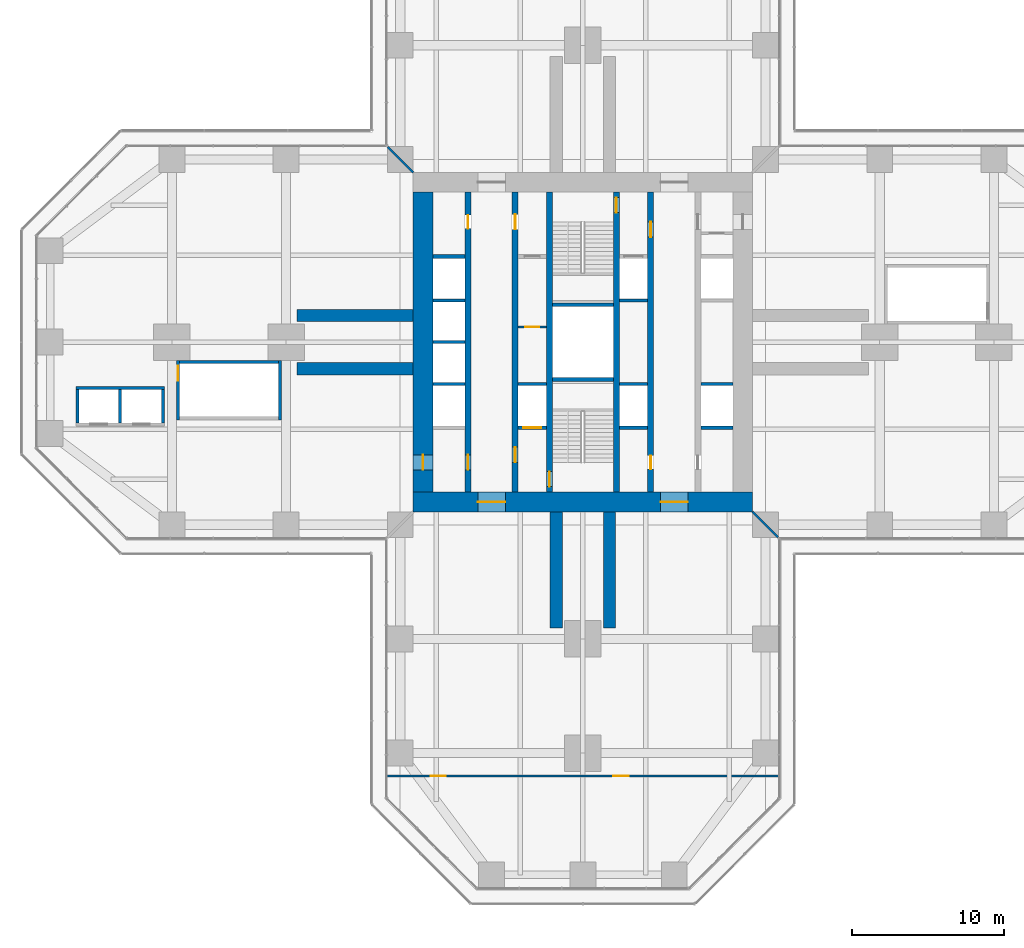
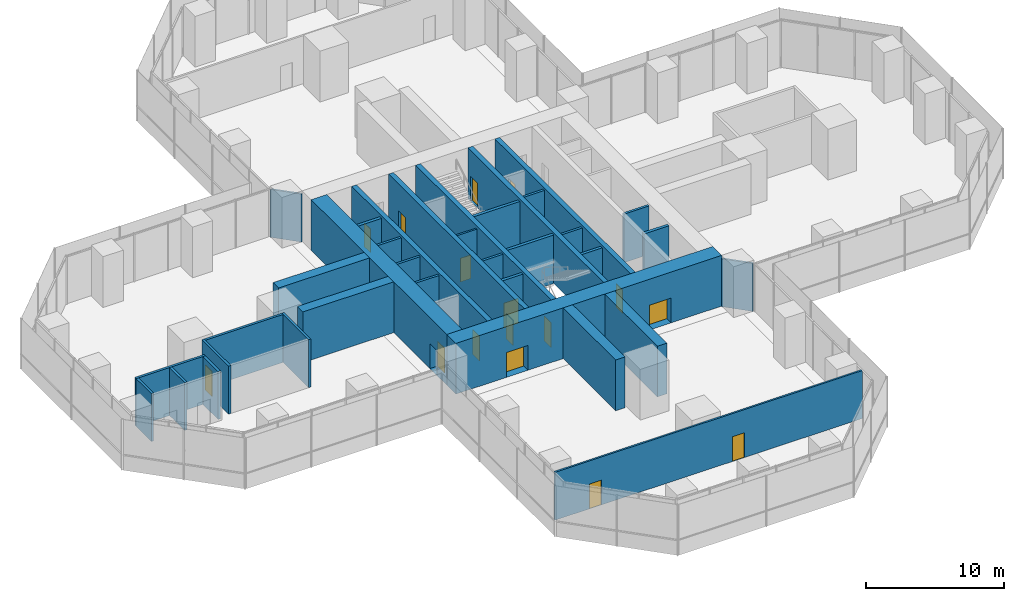
# One storey, part 17 of 21: 35 walls, 16 doors, 16 openings.
"""IFC4 building model written with IfcOpenShell, lengths in metres."""

from ifc_helpers import new_model, si_unit, direction, frame, frame_2d, origin, place, context, subcontext, project, spatial, rectangle, extrude, material, layer, layer_set, type_object, element, fill, save


model = new_model("IFC4")

# Units and contexts
model_context = context("Model", 3, precision=1e-05, world=origin(), true_north=direction((0.0, 1.0)))
body_context = subcontext(model_context, "Body", "Model", "MODEL_VIEW")
ifc_project = project(units=[si_unit("LENGTHUNIT", "METRE"), si_unit("AREAUNIT", "SQUARE_METRE"), si_unit("VOLUMEUNIT", "CUBIC_METRE"), si_unit("PLANEANGLEUNIT", "RADIAN"), si_unit("MASSUNIT", "GRAM", prefix="KILO")], contexts=[model_context])

# Site, building, storey
site_placement = place(None, origin())
site = spatial("IfcSite", under=ifc_project, at=site_placement, CompositionType="ELEMENT")
building_placement = place(site_placement, origin())
building = spatial("IfcBuilding", under=site, at=building_placement, Name="Mizan Broadcast Tower", CompositionType="ELEMENT")
storey_placement = place(building_placement, frame((0.0, 0.0, 33.0)))
storey = spatial("IfcBuildingStorey", under=building, at=storey_placement, Name="L05", CompositionType="ELEMENT", Elevation=33.0)

# Wall, openings, doors
ifc_material_1 = material(Name="Concrete C70/85", Category="concrete")
ifc_layer_1 = layer(ifc_material_1, 0.39990234375)
ifc_layer_set_1 = layer_set([ifc_layer_1], Name="Concrete C70/85")
wall_type_1 = type_object("IfcWallType", Name="CORE INTERNAL WALL 400", PredefinedType="SHEAR", material=ifc_layer_set_1)
wall_1_placement = place(storey_placement, frame((-7.550048828125, -9.85009765625, 0.0), z_axis=(0.0, 0.0, 1.0), x_axis=(0.0, 1.0, 0.0)))
wall_1 = element("IfcWall", 1, at=wall_1_placement, inside=storey, type_object=wall_type_1, Name="Core wall CORE/XW1", PredefinedType="SHEAR", context=body_context, shape_type="SweptSolid", body=[
    extrude(rectangle(XDim=19.7001953125, YDim=0.39990234375, at=frame_2d((9.85009765625, 0.0))), origin(), (0.0, 0.0, 1.0), 4.5),
])
opening_1_placement = place(wall_1_placement, frame((1.449951171875, 0.0, 0.0)))
opening_1 = element("IfcOpeningElement", 2, at=opening_1_placement, cuts=wall_1, Name="Opening D10F", PredefinedType="OPENING", context=body_context, shape_type="SweptSolid", body=[
    extrude(rectangle(XDim=1.0, YDim=2.199951171875, at=frame_2d((0.5, 1.10009765625))), frame((0.0, 0.2099609375, 0.0), z_axis=(0.0, -1.0, 0.0), x_axis=(1.0, 0.0, 0.0)), (0.0, 0.0, 1.0), 0.419921875),
])
opening_2_placement = place(wall_1_placement, frame((17.300048828125, 0.0, 0.0)))
opening_2 = element("IfcOpeningElement", 3, at=opening_2_placement, cuts=wall_1, Name="Opening D09", PredefinedType="OPENING", context=body_context, shape_type="SweptSolid", body=[
    extrude(rectangle(XDim=0.89990234375, YDim=2.10009765625, at=frame_2d((0.449951171875, 1.050048828125))), frame((0.0, 0.2099609375, 0.0), z_axis=(0.0, -1.0, 0.0), x_axis=(1.0, 0.0, 0.0)), (0.0, 0.0, 1.0), 0.419921875),
])
ifc_material_2 = material(Name="Steel door leaf in steel frame", Category="steel")
door_type_1 = type_object("IfcDoorType", Name="FIRE DOOR 1000 FD90", OperationType="SINGLE_SWING_LEFT", PredefinedType="DOOR", material=ifc_material_2)
door_1_placement = place(opening_1_placement, origin())
door_1 = element("IfcDoor", 4, at=door_1_placement, inside=storey, type_object=door_type_1, Name="West core passage door", OperationType="SINGLE_SWING_LEFT", OverallHeight=2.199951171875, OverallWidth=1.0, PredefinedType="DOOR", context=body_context, shape_type="SweptSolid", body=[
    extrude(rectangle(XDim=1.0, YDim=2.199951171875, at=frame_2d((0.5, 1.10009765625))), frame((0.0, 0.02490234375, 0.0), z_axis=(0.0, -1.0, 0.0), x_axis=(1.0, 0.0, 0.0)), (0.0, 0.0, 1.0), 0.050048828125),
])
fill(opening_1, door_1)
ifc_material_3 = material(Name="Timber door leaf in aluminium frame", Category="wood")
door_type_2 = type_object("IfcDoorType", Name="TOILET DOOR 900", OperationType="SINGLE_SWING_LEFT", PredefinedType="DOOR", material=ifc_material_3)
door_2_placement = place(opening_2_placement, origin())
door_2 = element("IfcDoor", 5, at=door_2_placement, inside=storey, type_object=door_type_2, Name="Male WC door", OperationType="SINGLE_SWING_RIGHT", OverallHeight=2.10009765625, OverallWidth=0.89990234375, PredefinedType="DOOR", context=body_context, shape_type="SweptSolid", body=[
    extrude(rectangle(XDim=0.89990234375, YDim=2.10009765625, at=frame_2d((0.449951171875, 1.050048828125))), frame((0.0, 0.02490234375, 0.0), z_axis=(0.0, -1.0, 0.0), x_axis=(1.0, 0.0, 0.0)), (0.0, 0.0, 1.0), 0.050048828125),
])
fill(opening_2, door_2)

wall_2_placement = place(storey_placement, frame((-4.449951171875, -9.85009765625, 0.0), z_axis=(0.0, 0.0, 1.0), x_axis=(0.0, 1.0, 0.0)))
wall_2 = element("IfcWall", 6, at=wall_2_placement, inside=storey, type_object=wall_type_1, Name="Core wall CORE/XWH", PredefinedType="SHEAR", context=body_context, shape_type="SweptSolid", body=[
    extrude(rectangle(XDim=19.7001953125, YDim=0.39990234375, at=frame_2d((9.85009765625, 0.0))), origin(), (0.0, 0.0, 1.0), 4.5),
])
opening_3_placement = place(wall_2_placement, frame((1.949951171875, 0.0, 0.0)))
opening_3 = element("IfcOpeningElement", 7, at=opening_3_placement, cuts=wall_2, Name="Opening D10F", PredefinedType="OPENING", context=body_context, shape_type="SweptSolid", body=[
    extrude(rectangle(XDim=1.0, YDim=2.199951171875, at=frame_2d((0.5, 1.10009765625))), frame((0.0, 0.2099609375, 0.0), z_axis=(0.0, -1.0, 0.0), x_axis=(1.0, 0.0, 0.0)), (0.0, 0.0, 1.0), 0.419921875),
])
opening_4_placement = place(wall_2_placement, frame((17.25, 0.0, 0.0)))
opening_4 = element("IfcOpeningElement", 8, at=opening_4_placement, cuts=wall_2, Name="Opening D10A", PredefinedType="OPENING", context=body_context, shape_type="SweptSolid", body=[
    extrude(rectangle(XDim=1.0, YDim=2.10009765625, at=frame_2d((0.5, 1.050048828125))), frame((0.0, 0.2099609375, 0.0), z_axis=(0.0, -1.0, 0.0), x_axis=(1.0, 0.0, 0.0)), (0.0, 0.0, 1.0), 0.419921875),
])
ifc_material_4 = material(Name="Timber door leaf in aluminium frame", Category="wood")
door_type_3 = type_object("IfcDoorType", Name="ACCESSIBLE WC DOOR 1000", OperationType="SLIDING_TO_LEFT", PredefinedType="DOOR", material=ifc_material_4)
door_3_placement = place(opening_4_placement, origin())
door_3 = element("IfcDoor", 9, at=door_3_placement, inside=storey, type_object=door_type_3, Name="Accessible WC door", OperationType="SLIDING_TO_LEFT", OverallHeight=2.10009765625, OverallWidth=1.0, PredefinedType="DOOR", context=body_context, shape_type="SweptSolid", body=[
    extrude(rectangle(XDim=1.0, YDim=2.10009765625, at=frame_2d((0.5, 1.050048828125))), frame((0.0, 0.02490234375, 0.0), z_axis=(0.0, -1.0, 0.0), x_axis=(1.0, 0.0, 0.0)), (0.0, 0.0, 1.0), 0.050048828125),
])
fill(opening_4, door_3)
door_4_placement = place(opening_3_placement, origin())
door_4 = element("IfcDoor", 10, at=door_4_placement, inside=storey, type_object=door_type_1, Name="Firefighting lobby A door", OperationType="SINGLE_SWING_LEFT", OverallHeight=2.199951171875, OverallWidth=1.0, PredefinedType="DOOR", context=body_context, shape_type="SweptSolid", body=[
    extrude(rectangle(XDim=1.0, YDim=2.199951171875, at=frame_2d((0.5, 1.10009765625))), frame((0.0, 0.02490234375, 0.0), z_axis=(0.0, -1.0, 0.0), x_axis=(1.0, 0.0, 0.0)), (0.0, 0.0, 1.0), 0.050048828125),
])
fill(opening_3, door_4)

wall_3_placement = place(storey_placement, frame((4.449951171875, 9.85009765625, 0.0), z_axis=(0.0, 0.0, 1.0), x_axis=(0.0, -1.0, 0.0)))
wall_3 = element("IfcWall", 11, at=wall_3_placement, inside=storey, type_object=wall_type_1, Name="Core wall CORE/XWHE", PredefinedType="SHEAR", context=body_context, shape_type="SweptSolid", body=[
    extrude(rectangle(XDim=19.7001953125, YDim=0.39990234375, at=frame_2d((9.85009765625, 0.0))), origin(), (0.0, 0.0, 1.0), 4.5),
])
opening_5_placement = place(wall_3_placement, frame((1.949951171875, 0.0, 0.0)))
opening_5 = element("IfcOpeningElement", 12, at=opening_5_placement, cuts=wall_3, Name="Opening D10F", PredefinedType="OPENING", context=body_context, shape_type="SweptSolid", body=[
    extrude(rectangle(XDim=1.0, YDim=2.199951171875, at=frame_2d((0.5, 1.10009765625))), frame((0.0, 0.2099609375, 0.0), z_axis=(0.0, -1.0, 0.0), x_axis=(1.0, 0.0, 0.0)), (0.0, 0.0, 1.0), 0.419921875),
])
opening_6_placement = place(wall_3_placement, frame((17.300048828125, 0.0, 0.0)))
opening_6 = element("IfcOpeningElement", 13, at=opening_6_placement, cuts=wall_3, Name="Opening D09", PredefinedType="OPENING", context=body_context, shape_type="SweptSolid", body=[
    extrude(rectangle(XDim=0.89990234375, YDim=2.10009765625, at=frame_2d((0.449951171875, 1.050048828125))), frame((0.0, 0.2099609375, 0.0), z_axis=(0.0, -1.0, 0.0), x_axis=(1.0, 0.0, 0.0)), (0.0, 0.0, 1.0), 0.419921875),
])
door_5_placement = place(opening_5_placement, origin())
door_5 = element("IfcDoor", 14, at=door_5_placement, inside=storey, type_object=door_type_1, Name="Firefighting lobby B door", OperationType="SINGLE_SWING_LEFT", OverallHeight=2.199951171875, OverallWidth=1.0, PredefinedType="DOOR", context=body_context, shape_type="SweptSolid", body=[
    extrude(rectangle(XDim=1.0, YDim=2.199951171875, at=frame_2d((0.5, 1.10009765625))), frame((0.0, 0.02490234375, 0.0), z_axis=(0.0, -1.0, 0.0), x_axis=(1.0, 0.0, 0.0)), (0.0, 0.0, 1.0), 0.050048828125),
])
fill(opening_5, door_5)
door_6_placement = place(opening_6_placement, origin())
door_6 = element("IfcDoor", 15, at=door_6_placement, inside=storey, type_object=door_type_2, Name="Cleaner's store door", OperationType="SINGLE_SWING_RIGHT", OverallHeight=2.10009765625, OverallWidth=0.89990234375, PredefinedType="DOOR", context=body_context, shape_type="SweptSolid", body=[
    extrude(rectangle(XDim=0.89990234375, YDim=2.10009765625, at=frame_2d((0.449951171875, 1.050048828125))), frame((0.0, 0.02490234375, 0.0), z_axis=(0.0, -1.0, 0.0), x_axis=(1.0, 0.0, 0.0)), (0.0, 0.0, 1.0), 0.050048828125),
])
fill(opening_6, door_6)

# Wall, opening, door
wall_4_placement = place(storey_placement, frame((-2.199951171875, -9.85009765625, 0.0), z_axis=(0.0, 0.0, 1.0), x_axis=(0.0, 1.0, 0.0)))
wall_4 = element("IfcWall", 16, at=wall_4_placement, inside=storey, type_object=wall_type_1, Name="Core wall CORE/XW2", PredefinedType="SHEAR", context=body_context, shape_type="SweptSolid", body=[
    extrude(rectangle(XDim=19.7001953125, YDim=0.39990234375, at=frame_2d((9.85009765625, 0.0))), origin(), (0.0, 0.0, 1.0), 4.5),
])
opening_7_placement = place(wall_4_placement, frame((0.35009765625, 0.0, 0.0)))
opening_7 = element("IfcOpeningElement", 17, at=opening_7_placement, cuts=wall_4, Name="Opening D10S", PredefinedType="OPENING", context=body_context, shape_type="SweptSolid", body=[
    extrude(rectangle(XDim=1.0, YDim=2.199951171875, at=frame_2d((0.5, 1.10009765625))), frame((0.0, 0.2099609375, 0.0), z_axis=(0.0, -1.0, 0.0), x_axis=(1.0, 0.0, 0.0)), (0.0, 0.0, 1.0), 0.419921875),
])
ifc_material_5 = material(Name="Steel door leaf in steel frame", Category="steel")
door_type_4 = type_object("IfcDoorType", Name="STAIR DOOR 1000 FD90S", OperationType="SINGLE_SWING_RIGHT", PredefinedType="DOOR", material=ifc_material_5)
door_7_placement = place(opening_7_placement, origin())
door_7 = element("IfcDoor", 18, at=door_7_placement, inside=storey, type_object=door_type_4, Name="Stair A door", OperationType="SINGLE_SWING_RIGHT", OverallHeight=2.199951171875, OverallWidth=1.0, PredefinedType="DOOR", context=body_context, shape_type="SweptSolid", body=[
    extrude(rectangle(XDim=1.0, YDim=2.199951171875, at=frame_2d((0.5, 1.10009765625))), frame((0.0, 0.02490234375, 0.0), z_axis=(0.0, -1.0, 0.0), x_axis=(1.0, 0.0, 0.0)), (0.0, 0.0, 1.0), 0.050048828125),
])
fill(opening_7, door_7)

wall_5_placement = place(storey_placement, frame((2.199951171875, 9.85009765625, 0.0), z_axis=(0.0, 0.0, 1.0), x_axis=(0.0, -1.0, 0.0)))
wall_5 = element("IfcWall", 19, at=wall_5_placement, inside=storey, type_object=wall_type_1, Name="Core wall CORE/XW2E", PredefinedType="SHEAR", context=body_context, shape_type="SweptSolid", body=[
    extrude(rectangle(XDim=19.7001953125, YDim=0.39990234375, at=frame_2d((9.85009765625, 0.0))), origin(), (0.0, 0.0, 1.0), 4.5),
])
opening_8_placement = place(wall_5_placement, frame((0.35009765625, 0.0, 0.0)))
opening_8 = element("IfcOpeningElement", 20, at=opening_8_placement, cuts=wall_5, Name="Opening D10S", PredefinedType="OPENING", context=body_context, shape_type="SweptSolid", body=[
    extrude(rectangle(XDim=1.0, YDim=2.199951171875, at=frame_2d((0.5, 1.10009765625))), frame((0.0, 0.2099609375, 0.0), z_axis=(0.0, -1.0, 0.0), x_axis=(1.0, 0.0, 0.0)), (0.0, 0.0, 1.0), 0.419921875),
])
door_8_placement = place(opening_8_placement, origin())
door_8 = element("IfcDoor", 21, at=door_8_placement, inside=storey, type_object=door_type_4, Name="Stair B door", OperationType="SINGLE_SWING_RIGHT", OverallHeight=2.199951171875, OverallWidth=1.0, PredefinedType="DOOR", context=body_context, shape_type="SweptSolid", body=[
    extrude(rectangle(XDim=1.0, YDim=2.199951171875, at=frame_2d((0.5, 1.10009765625))), frame((0.0, 0.02490234375, 0.0), z_axis=(0.0, -1.0, 0.0), x_axis=(1.0, 0.0, 0.0)), (0.0, 0.0, 1.0), 0.050048828125),
])
fill(opening_8, door_8)

ifc_material_6 = material(Name="Concrete blockwork", Category="masonry")
ifc_layer_2 = layer(ifc_material_6, 0.14990234375)
ifc_layer_set_2 = layer_set([ifc_layer_2], Name="Concrete blockwork")
wall_type_2 = type_object("IfcWallType", Name="CORE PARTITION 150", PredefinedType="SOLIDWALL", material=ifc_layer_set_2)
wall_6_placement = place(storey_placement, frame((-4.25, 1.0, 0.0), z_axis=(0.0, 0.0, 1.0), x_axis=(1.0, 0.0, 0.0)))
wall_6 = element("IfcWall", 22, at=wall_6_placement, inside=storey, type_object=wall_type_2, Name="Core partition CORE/XP2", PredefinedType="SOLIDWALL", context=body_context, shape_type="SweptSolid", body=[
    extrude(rectangle(XDim=1.85009765625, YDim=0.14990234375, at=frame_2d((0.925048828125, 0.0))), origin(), (0.0, 0.0, 1.0), 4.25),
])
opening_9_placement = place(wall_6_placement, frame((0.47509765625, 0.0, 0.0)))
opening_9 = element("IfcOpeningElement", 23, at=opening_9_placement, cuts=wall_6, Name="Opening D09F", PredefinedType="OPENING", context=body_context, shape_type="SweptSolid", body=[
    extrude(rectangle(XDim=0.89990234375, YDim=2.10009765625, at=frame_2d((0.449951171875, 1.050048828125))), frame((0.0, 0.0849609375, 0.0), z_axis=(0.0, -1.0, 0.0), x_axis=(1.0, 0.0, 0.0)), (0.0, 0.0, 1.0), 0.169921875),
])
ifc_material_7 = material(Name="Steel door leaf in steel frame", Category="steel")
door_type_5 = type_object("IfcDoorType", Name="CORE ROOM DOOR 900 FD90", OperationType="SINGLE_SWING_LEFT", PredefinedType="DOOR", material=ifc_material_7)
door_9_placement = place(opening_9_placement, origin())
door_9 = element("IfcDoor", 24, at=door_9_placement, inside=storey, type_object=door_type_5, Name="Shower store door", OperationType="SINGLE_SWING_RIGHT", OverallHeight=2.10009765625, OverallWidth=0.89990234375, PredefinedType="DOOR", context=body_context, shape_type="SweptSolid", body=[
    extrude(rectangle(XDim=0.89990234375, YDim=2.10009765625, at=frame_2d((0.449951171875, 1.050048828125))), frame((0.0, 0.02490234375, 0.0), z_axis=(0.0, -1.0, 0.0), x_axis=(1.0, 0.0, 0.0)), (0.0, 0.0, 1.0), 0.050048828125),
])
fill(opening_9, door_9)

# Wall, openings, doors
ifc_material_8 = material(Name="Concrete C70/85", Category="concrete")
ifc_layer_3 = layer(ifc_material_8, 1.300048828125)
ifc_layer_set_3 = layer_set([ifc_layer_3], Name="Concrete C70/85")
wall_type_3 = type_object("IfcWallType", Name="CORE WALL 1300", PredefinedType="SHEAR", material=ifc_layer_set_3)
wall_7_placement = place(storey_placement, frame((11.14990234375, -10.5, 0.0), z_axis=(0.0, 0.0, 1.0), x_axis=(-1.0, 0.0, 0.0)))
wall_7 = element("IfcWall", 25, at=wall_7_placement, inside=storey, type_object=wall_type_3, Name="Core wall S L05", PredefinedType="SHEAR", context=body_context, shape_type="SweptSolid", body=[
    extrude(rectangle(XDim=22.2998046875, YDim=1.300048828125, at=frame_2d((11.14990234375, 0.0))), origin(), (0.0, 0.0, 1.0), 4.5),
])
opening_10_placement = place(wall_7_placement, frame((16.25, 0.0, 0.0)))
opening_10 = element("IfcOpeningElement", 26, at=opening_10_placement, cuts=wall_7, Name="Opening D18F", PredefinedType="OPENING", context=body_context, shape_type="SweptSolid", body=[
    extrude(rectangle(XDim=1.800048828125, YDim=2.199951171875, at=frame_2d((0.89990234375, 1.10009765625))), frame((0.0, 0.659912109375, 0.0), z_axis=(0.0, -1.0, 0.0), x_axis=(1.0, 0.0, 0.0)), (0.0, 0.0, 1.0), 1.320068359375),
])
opening_11_placement = place(wall_7_placement, frame((4.25, 0.0, 0.0)))
opening_11 = element("IfcOpeningElement", 27, at=opening_11_placement, cuts=wall_7, Name="Opening D18F", PredefinedType="OPENING", context=body_context, shape_type="SweptSolid", body=[
    extrude(rectangle(XDim=1.800048828125, YDim=2.199951171875, at=frame_2d((0.89990234375, 1.10009765625))), frame((0.0, 0.659912109375, 0.0), z_axis=(0.0, -1.0, 0.0), x_axis=(1.0, 0.0, 0.0)), (0.0, 0.0, 1.0), 1.320068359375),
])
ifc_material_9 = material(Name="Steel door leaf in steel frame", Category="steel")
door_type_6 = type_object("IfcDoorType", Name="LOBBY DOUBLE DOOR 1800 FD90", OperationType="DOUBLE_DOOR_DOUBLE_SWING", PredefinedType="DOOR", material=ifc_material_9)
door_10_placement = place(opening_10_placement, origin())
door_10 = element("IfcDoor", 28, at=door_10_placement, inside=storey, type_object=door_type_6, Name="West lift lobby south door", OperationType="DOUBLE_DOOR_DOUBLE_SWING", OverallHeight=2.199951171875, OverallWidth=1.800048828125, PredefinedType="DOOR", context=body_context, shape_type="SweptSolid", body=[
    extrude(rectangle(XDim=1.800048828125, YDim=2.199951171875, at=frame_2d((0.89990234375, 1.10009765625))), frame((0.0, 0.02490234375, 0.0), z_axis=(0.0, -1.0, 0.0), x_axis=(1.0, 0.0, 0.0)), (0.0, 0.0, 1.0), 0.050048828125),
])
fill(opening_10, door_10)
door_11_placement = place(opening_11_placement, origin())
door_11 = element("IfcDoor", 29, at=door_11_placement, inside=storey, type_object=door_type_6, Name="East lift lobby south door", OperationType="DOUBLE_DOOR_DOUBLE_SWING", OverallHeight=2.199951171875, OverallWidth=1.800048828125, PredefinedType="DOOR", context=body_context, shape_type="SweptSolid", body=[
    extrude(rectangle(XDim=1.800048828125, YDim=2.199951171875, at=frame_2d((0.89990234375, 1.10009765625))), frame((0.0, 0.02490234375, 0.0), z_axis=(0.0, -1.0, 0.0), x_axis=(1.0, 0.0, 0.0)), (0.0, 0.0, 1.0), 0.050048828125),
])
fill(opening_11, door_11)

# Wall, opening, door
wall_8_placement = place(storey_placement, frame((-10.5, 9.85009765625, 0.0), z_axis=(0.0, 0.0, 1.0), x_axis=(0.0, -1.0, 0.0)))
wall_8 = element("IfcWall", 30, at=wall_8_placement, inside=storey, type_object=wall_type_3, Name="Core wall W L05", PredefinedType="SHEAR", context=body_context, shape_type="SweptSolid", body=[
    extrude(rectangle(XDim=19.7001953125, YDim=1.300048828125, at=frame_2d((9.85009765625, 0.0))), origin(), (0.0, 0.0, 1.0), 4.5),
])
opening_12_placement = place(wall_8_placement, frame((17.25, 0.0, 0.0)))
opening_12 = element("IfcOpeningElement", 31, at=opening_12_placement, cuts=wall_8, Name="Opening D10F", PredefinedType="OPENING", context=body_context, shape_type="SweptSolid", body=[
    extrude(rectangle(XDim=1.0, YDim=2.199951171875, at=frame_2d((0.5, 1.10009765625))), frame((0.0, 0.659912109375, 0.0), z_axis=(0.0, -1.0, 0.0), x_axis=(1.0, 0.0, 0.0)), (0.0, 0.0, 1.0), 1.320068359375),
])
door_12_placement = place(opening_12_placement, origin())
door_12 = element("IfcDoor", 32, at=door_12_placement, inside=storey, type_object=door_type_1, Name="West core passage arm door", OperationType="SINGLE_SWING_RIGHT", OverallHeight=2.199951171875, OverallWidth=1.0, PredefinedType="DOOR", context=body_context, shape_type="SweptSolid", body=[
    extrude(rectangle(XDim=1.0, YDim=2.199951171875, at=frame_2d((0.5, 1.10009765625))), frame((0.0, 0.02490234375, 0.0), z_axis=(0.0, -1.0, 0.0), x_axis=(1.0, 0.0, 0.0)), (0.0, 0.0, 1.0), 0.050048828125),
])
fill(opening_12, door_12)

# Walls
ifc_material_10 = material(Name="Concrete blockwork", Category="masonry")
ifc_layer_4 = layer(ifc_material_10, 0.199951171875)
ifc_layer_set_4 = layer_set([ifc_layer_4], Name="Concrete blockwork")
wall_type_4 = type_object("IfcWallType", Name="LIFT SHAFT WALL 200", PredefinedType="SOLIDWALL", material=ifc_layer_set_4)
wall_9_placement = place(storey_placement, frame((-9.85009765625, -2.75, 0.0), z_axis=(0.0, 0.0, 1.0), x_axis=(1.0, 0.0, 0.0)))
element("IfcWall", 33, at=wall_9_placement, inside=storey, type_object=wall_type_4, Name="Lift shaft wall CORE/SW1-1", PredefinedType="SOLIDWALL", context=body_context, shape_type="SweptSolid", body=[
    extrude(rectangle(XDim=2.10009765625, YDim=0.199951171875, at=frame_2d((1.050048828125, 0.0))), origin(), (0.0, 0.0, 1.0), 4.300048828125),
])
for number, where, z_axis, x_axis, name in (
    (34, (-4.25, -2.75, 0.0), (0.0, 0.0, 1.0), (1.0, 0.0, 0.0), "Lift shaft wall CORE/SW2-1"),
    (35, (2.39990234375, -2.75, 0.0), (0.0, 0.0, 1.0), (1.0, 0.0, 0.0), "Lift shaft wall CORE/SE2-1"),
):
    element("IfcWall", number, at=place(storey_placement, frame(where, z_axis=z_axis, x_axis=x_axis)), inside=storey, type_object=wall_type_4, Name=name, PredefinedType="SOLIDWALL", context=body_context, shape_type="SweptSolid", body=[
        extrude(rectangle(XDim=1.85009765625, YDim=0.199951171875, at=frame_2d((0.925048828125, 0.0))), origin(), (0.0, 0.0, 1.0), 4.300048828125),
    ])
for number, where, z_axis, x_axis, name in (
    (36, (7.75, -2.75, 0.0), (0.0, 0.0, 1.0), (1.0, 0.0, 0.0), "Lift shaft wall CORE/SE1-1"),
    (37, (-9.85009765625, 0.0, 0.0), (0.0, 0.0, 1.0), (1.0, 0.0, 0.0), "Lift shaft wall CORE/SW1-2"),
    (38, (-9.85009765625, 2.75, 0.0), (0.0, 0.0, 1.0), (1.0, 0.0, 0.0), "Lift shaft wall CORE/SW1-3"),
):
    element("IfcWall", number, at=place(storey_placement, frame(where, z_axis=z_axis, x_axis=x_axis)), inside=storey, type_object=wall_type_4, Name=name, PredefinedType="SOLIDWALL", context=body_context, shape_type="SweptSolid", body=[
        extrude(rectangle(XDim=2.10009765625, YDim=0.199951171875, at=frame_2d((1.050048828125, 0.0))), origin(), (0.0, 0.0, 1.0), 4.300048828125),
    ])
wall_10_placement = place(storey_placement, frame((2.39990234375, 2.75, 0.0), z_axis=(0.0, 0.0, 1.0), x_axis=(1.0, 0.0, 0.0)))
element("IfcWall", 39, at=wall_10_placement, inside=storey, type_object=wall_type_4, Name="Lift shaft wall CORE/SE2-3", PredefinedType="SOLIDWALL", context=body_context, shape_type="SweptSolid", body=[
    extrude(rectangle(XDim=1.85009765625, YDim=0.199951171875, at=frame_2d((0.925048828125, 0.0))), origin(), (0.0, 0.0, 1.0), 4.300048828125),
])
wall_11_placement = place(storey_placement, frame((-27.5, -3.0, 0.0), z_axis=(0.0, 0.0, 1.0), x_axis=(-1.0, 0.0, 0.0)))
element("IfcWall", 40, at=wall_11_placement, inside=storey, type_object=wall_type_4, Name="Lift shaft wall PLS/V0", PredefinedType="SOLIDWALL", context=body_context, shape_type="SweptSolid", body=[
    extrude(rectangle(XDim=5.800048828125, YDim=0.199951171875, at=frame_2d((2.89990234375, 0.0))), origin(), (0.0, 0.0, 1.0), 4.25),
])
for number, where, z_axis, x_axis, name in (
    (41, (-27.60009765625, -3.10009765625, 0.0), (0.0, 0.0, 1.0), (0.0, -1.0, 0.0), "Lift shaft wall PLS/U0"),
    (42, (-30.39990234375, -3.10009765625, 0.0), (0.0, 0.0, 1.0), (0.0, -1.0, 0.0), "Lift shaft wall PLS/U1"),
    (43, (-33.199951171875, -3.10009765625, 0.0), (0.0, 0.0, 1.0), (0.0, -1.0, 0.0), "Lift shaft wall PLS/U2"),
):
    element("IfcWall", number, at=place(storey_placement, frame(where, z_axis=z_axis, x_axis=x_axis)), inside=storey, type_object=wall_type_4, Name=name, PredefinedType="SOLIDWALL", context=body_context, shape_type="SweptSolid", body=[
        extrude(rectangle(XDim=2.199951171875, YDim=0.199951171875, at=frame_2d((1.10009765625, 0.0))), origin(), (0.0, 0.0, 1.0), 4.25),
    ])
ifc_material_11 = material(Name="Concrete blockwork", Category="masonry")
ifc_layer_5 = layer(ifc_material_11, 0.25)
ifc_layer_set_5 = layer_set([ifc_layer_5], Name="Concrete blockwork")
wall_type_5 = type_object("IfcWallType", Name="LOBBY ENCLOSURE WALL 250", PredefinedType="SOLIDWALL", material=ifc_layer_set_5)
wall_12_placement = place(storey_placement, frame((-9.85009765625, 5.625, 0.0), z_axis=(0.0, 0.0, 1.0), x_axis=(1.0, 0.0, 0.0)))
element("IfcWall", 44, at=wall_12_placement, inside=storey, type_object=wall_type_5, Name="Lobby enclosure wall CORE/BW1N", PredefinedType="SOLIDWALL", context=body_context, shape_type="SweptSolid", body=[
    extrude(rectangle(XDim=2.10009765625, YDim=0.25, at=frame_2d((1.050048828125, 0.0))), origin(), (0.0, 0.0, 1.0), 4.300048828125),
])

# Wall, opening, door
wall_13_placement = place(storey_placement, frame((-4.25, -5.625, 0.0), z_axis=(0.0, 0.0, 1.0), x_axis=(1.0, 0.0, 0.0)))
wall_13 = element("IfcWall", 45, at=wall_13_placement, inside=storey, type_object=wall_type_5, Name="Lobby enclosure wall CORE/BW2S", PredefinedType="SOLIDWALL", context=body_context, shape_type="SweptSolid", body=[
    extrude(rectangle(XDim=1.85009765625, YDim=0.25, at=frame_2d((0.925048828125, 0.0))), origin(), (0.0, 0.0, 1.0), 4.300048828125),
])
opening_13_placement = place(wall_13_placement, frame((0.324951171875, 0.0, 0.0)))
opening_13 = element("IfcOpeningElement", 46, at=opening_13_placement, cuts=wall_13, Name="Opening LDF", PredefinedType="OPENING", context=body_context, shape_type="SweptSolid", body=[
    extrude(rectangle(XDim=1.199951171875, YDim=2.199951171875, at=frame_2d((0.60009765625, 1.10009765625))), frame((0.0, 0.135009765625, 0.0), z_axis=(0.0, -1.0, 0.0), x_axis=(1.0, 0.0, 0.0)), (0.0, 0.0, 1.0), 0.27001953125),
])
ifc_material_12 = material(Name="Steel door leaf in steel frame", Category="steel")
door_type_7 = type_object("IfcDoorType", Name="FIREFIGHTING LIFT LANDING DOOR 1200", OperationType="SLIDING_TO_LEFT", PredefinedType="DOOR", material=ifc_material_12)
door_13_placement = place(opening_13_placement, origin())
door_13 = element("IfcDoor", 47, at=door_13_placement, inside=storey, type_object=door_type_7, Name="Landing door FF1", OperationType="SLIDING_TO_LEFT", OverallHeight=2.199951171875, OverallWidth=1.199951171875, PredefinedType="DOOR", context=body_context, shape_type="SweptSolid", body=[
    extrude(rectangle(XDim=1.199951171875, YDim=2.199951171875, at=frame_2d((0.60009765625, 1.10009765625))), frame((0.0, 0.02490234375, 0.0), z_axis=(0.0, -1.0, 0.0), x_axis=(1.0, 0.0, 0.0)), (0.0, 0.0, 1.0), 0.050048828125),
])
fill(opening_13, door_13)

# Walls
wall_14_placement = place(storey_placement, frame((2.39990234375, -5.625, 0.0), z_axis=(0.0, 0.0, 1.0), x_axis=(1.0, 0.0, 0.0)))
element("IfcWall", 48, at=wall_14_placement, inside=storey, type_object=wall_type_5, Name="Lobby enclosure wall CORE/BE2S", PredefinedType="SOLIDWALL", context=body_context, shape_type="SweptSolid", body=[
    extrude(rectangle(XDim=1.85009765625, YDim=0.25, at=frame_2d((0.925048828125, 0.0))), origin(), (0.0, 0.0, 1.0), 4.300048828125),
])
wall_15_placement = place(storey_placement, frame((7.75, -5.625, 0.0), z_axis=(0.0, 0.0, 1.0), x_axis=(1.0, 0.0, 0.0)))
element("IfcWall", 49, at=wall_15_placement, inside=storey, type_object=wall_type_5, Name="Lobby enclosure wall CORE/BE1S", PredefinedType="SOLIDWALL", context=body_context, shape_type="SweptSolid", body=[
    extrude(rectangle(XDim=2.10009765625, YDim=0.25, at=frame_2d((1.050048828125, 0.0))), origin(), (0.0, 0.0, 1.0), 4.300048828125),
])
for number, where, z_axis, x_axis, name in (
    (50, (-2.0, -2.449951171875, 0.0), (0.0, 0.0, 1.0), (1.0, 0.0, 0.0), "Lobby enclosure wall CORE/STA"),
    (51, (-2.0, 2.449951171875, 0.0), (0.0, 0.0, 1.0), (1.0, 0.0, 0.0), "Lobby enclosure wall CORE/STB"),
):
    element("IfcWall", number, at=place(storey_placement, frame(where, z_axis=z_axis, x_axis=x_axis)), inside=storey, type_object=wall_type_5, Name=name, PredefinedType="SOLIDWALL", context=body_context, shape_type="SweptSolid", body=[
        extrude(rectangle(XDim=4.0, YDim=0.25, at=frame_2d((2.0, 0.0))), origin(), (0.0, 0.0, 1.0), 4.300048828125),
    ])

# Wall, openings, doors
ifc_material_13 = material(Name="Gypsum board on steel studs", Category="steel")
ifc_layer_6 = layer(ifc_material_13, 0.14990234375)
ifc_layer_set_6 = layer_set([ifc_layer_6], Name="Gypsum board on steel studs")
wall_type_6 = type_object("IfcWallType", Name="PARTITION 150", PredefinedType="PARTITIONING", material=ifc_layer_set_6)
wall_16_placement = place(storey_placement, frame((-12.875, -28.5, 0.0), z_axis=(0.0, 0.0, 1.0), x_axis=(1.0, 0.0, 0.0)))
wall_16 = element("IfcWall", 52, at=wall_16_placement, inside=storey, type_object=wall_type_6, Name="Partition PT/SX1", PredefinedType="PARTITIONING", context=body_context, shape_type="SweptSolid", body=[
    extrude(rectangle(XDim=25.75, YDim=0.14990234375, at=frame_2d((12.875, 0.0))), origin(), (0.0, 0.0, 1.0), 4.25),
])
opening_14_placement = place(wall_16_placement, frame((14.875, 0.0, 0.0)))
opening_14 = element("IfcOpeningElement", 53, at=opening_14_placement, cuts=wall_16, Name="Opening D10", PredefinedType="OPENING", context=body_context, shape_type="SweptSolid", body=[
    extrude(rectangle(XDim=1.0, YDim=2.199951171875, at=frame_2d((0.5, 1.10009765625))), frame((0.0, 0.0849609375, 0.0), z_axis=(0.0, -1.0, 0.0), x_axis=(1.0, 0.0, 0.0)), (0.0, 0.0, 1.0), 0.169921875),
])
opening_15_placement = place(wall_16_placement, frame((2.875, 0.0, 0.0)))
opening_15 = element("IfcOpeningElement", 54, at=opening_15_placement, cuts=wall_16, Name="Opening D10", PredefinedType="OPENING", context=body_context, shape_type="SweptSolid", body=[
    extrude(rectangle(XDim=1.0, YDim=2.199951171875, at=frame_2d((0.5, 1.10009765625))), frame((0.0, 0.0849609375, 0.0), z_axis=(0.0, -1.0, 0.0), x_axis=(1.0, 0.0, 0.0)), (0.0, 0.0, 1.0), 0.169921875),
])
ifc_material_14 = material(Name="Timber door leaf in aluminium frame", Category="wood")
door_type_8 = type_object("IfcDoorType", Name="ROOM DOOR 1000", OperationType="SINGLE_SWING_LEFT", PredefinedType="DOOR", material=ifc_material_14)
door_14_placement = place(opening_14_placement, origin())
door_14 = element("IfcDoor", 55, at=door_14_placement, inside=storey, type_object=door_type_8, Name="Meeting room 2 door", OperationType="SINGLE_SWING_RIGHT", OverallHeight=2.199951171875, OverallWidth=1.0, PredefinedType="DOOR", context=body_context, shape_type="SweptSolid", body=[
    extrude(rectangle(XDim=1.0, YDim=2.199951171875, at=frame_2d((0.5, 1.10009765625))), frame((0.0, 0.02490234375, 0.0), z_axis=(0.0, -1.0, 0.0), x_axis=(1.0, 0.0, 0.0)), (0.0, 0.0, 1.0), 0.050048828125),
])
fill(opening_14, door_14)
door_15_placement = place(opening_15_placement, origin())
door_15 = element("IfcDoor", 56, at=door_15_placement, inside=storey, type_object=door_type_8, Name="Meeting room 2 door", OperationType="SINGLE_SWING_LEFT", OverallHeight=2.199951171875, OverallWidth=1.0, PredefinedType="DOOR", context=body_context, shape_type="SweptSolid", body=[
    extrude(rectangle(XDim=1.0, YDim=2.199951171875, at=frame_2d((0.5, 1.10009765625))), frame((0.0, 0.02490234375, 0.0), z_axis=(0.0, -1.0, 0.0), x_axis=(1.0, 0.0, 0.0)), (0.0, 0.0, 1.0), 0.050048828125),
])
fill(opening_15, door_15)

# Walls
for number, where, z_axis, x_axis, name in (
    (57, (-11.14990234375, 11.14990234375, 0.0), (0.0, 0.0, 1.0), (-0.707106781187, 0.707106781187, 0.0), "Partition PT/DGWN"),
    (58, (11.14990234375, -11.14990234375, 0.0), (0.0, 0.0, 1.0), (0.707106781187, -0.707106781187, 0.0), "Partition PT/DGES"),
):
    element("IfcWall", number, at=place(storey_placement, frame(where, z_axis=z_axis, x_axis=x_axis)), inside=storey, type_object=wall_type_6, Name=name, PredefinedType="PARTITIONING", context=body_context, shape_type="SweptSolid", body=[
        extrude(rectangle(XDim=2.362060546875, YDim=0.14990234375, at=frame_2d((1.18115234375, 0.0))), origin(), (0.0, 0.0, 1.0), 4.25),
    ])
ifc_material_15 = material(Name="Concrete C70/85", Category="concrete")
ifc_layer_7 = layer(ifc_material_15, 0.800048828125)
ifc_layer_set_7 = layer_set([ifc_layer_7], Name="Concrete C70/85")
wall_type_7 = type_object("IfcWallType", Name="SPINE WALL 800", PredefinedType="SHEAR", material=ifc_layer_set_7)
for number, where, z_axis, x_axis, name in (
    (59, (-11.14990234375, 1.75, 0.0), (0.0, 0.0, 1.0), (-1.0, 0.0, 0.0), "Spine wall WR L05"),
    (60, (-11.14990234375, -1.75, 0.0), (0.0, 0.0, 1.0), (-1.0, 0.0, 0.0), "Spine wall WL L05"),
    (61, (-1.75, -11.14990234375, 0.0), (0.0, 0.0, 1.0), (0.0, -1.0, 0.0), "Spine wall SR L05"),
    (62, (1.75, -11.14990234375, 0.0), (0.0, 0.0, 1.0), (0.0, -1.0, 0.0), "Spine wall SL L05"),
):
    element("IfcWall", number, at=place(storey_placement, frame(where, z_axis=z_axis, x_axis=x_axis)), inside=storey, type_object=wall_type_7, Name=name, PredefinedType="SHEAR", context=body_context, shape_type="SweptSolid", body=[
        extrude(rectangle(XDim=7.625, YDim=0.800048828125, at=frame_2d((3.8125, 0.0))), origin(), (0.0, 0.0, 1.0), 4.5),
    ])
ifc_material_16 = material(Name="Concrete C40/50", Category="concrete")
ifc_layer_8 = layer(ifc_material_16, 0.199951171875)
ifc_layer_set_8 = layer_set([ifc_layer_8], Name="Concrete C40/50")
wall_type_8 = type_object("IfcWallType", Name="STAIR SHAFT WALL 200 RC", PredefinedType="SOLIDWALL", material=ifc_layer_set_8)
wall_17_placement = place(storey_placement, frame((-19.89990234375, -1.199951171875, 0.0), z_axis=(0.0, 0.0, 1.0), x_axis=(0.0, -1.0, 0.0)))
element("IfcWall", 63, at=wall_17_placement, inside=storey, type_object=wall_type_8, Name="Stair shaft wall PS/W/U0", PredefinedType="SOLIDWALL", context=body_context, shape_type="SweptSolid", body=[
    extrude(rectangle(XDim=3.900146484375, YDim=0.199951171875, at=frame_2d((1.9501953125, 0.0))), origin(), (0.0, 0.0, 1.0), 4.25),
])

# Wall, opening, door
wall_18_placement = place(storey_placement, frame((-26.60009765625, -5.10009765625, 0.0), z_axis=(0.0, 0.0, 1.0), x_axis=(0.0, 1.0, 0.0)))
wall_18 = element("IfcWall", 64, at=wall_18_placement, inside=storey, type_object=wall_type_8, Name="Stair shaft wall PS/W/U1", PredefinedType="SOLIDWALL", context=body_context, shape_type="SweptSolid", body=[
    extrude(rectangle(XDim=3.900146484375, YDim=0.199951171875, at=frame_2d((1.9501953125, 0.0))), origin(), (0.0, 0.0, 1.0), 4.25),
])
opening_16_placement = place(wall_18_placement, frame((2.550048828125, 0.0, 0.0)))
opening_16 = element("IfcOpeningElement", 65, at=opening_16_placement, cuts=wall_18, Name="Opening D10S", PredefinedType="OPENING", context=body_context, shape_type="SweptSolid", body=[
    extrude(rectangle(XDim=1.0, YDim=2.199951171875, at=frame_2d((0.5, 1.10009765625))), frame((0.0, 0.10986328125, 0.0), z_axis=(0.0, -1.0, 0.0), x_axis=(1.0, 0.0, 0.0)), (0.0, 0.0, 1.0), 0.219970703125),
])
door_16_placement = place(opening_16_placement, origin())
door_16 = element("IfcDoor", 66, at=door_16_placement, inside=storey, type_object=door_type_4, Name="Stair D door", OperationType="SINGLE_SWING_RIGHT", OverallHeight=2.199951171875, OverallWidth=1.0, PredefinedType="DOOR", context=body_context, shape_type="SweptSolid", body=[
    extrude(rectangle(XDim=1.0, YDim=2.199951171875, at=frame_2d((0.5, 1.10009765625))), frame((0.0, 0.02490234375, 0.0), z_axis=(0.0, -1.0, 0.0), x_axis=(1.0, 0.0, 0.0)), (0.0, 0.0, 1.0), 0.050048828125),
])
fill(opening_16, door_16)

# Wall
wall_19_placement = place(storey_placement, frame((-20.0, -1.300048828125, 0.0), z_axis=(0.0, 0.0, 1.0), x_axis=(-1.0, 0.0, 0.0)))
element("IfcWall", 67, at=wall_19_placement, inside=storey, type_object=wall_type_8, Name="Stair shaft wall PS/W/V0", PredefinedType="SOLIDWALL", context=body_context, shape_type="SweptSolid", body=[
    extrude(rectangle(XDim=6.5, YDim=0.199951171875, at=frame_2d((3.25, 0.0))), origin(), (0.0, 0.0, 1.0), 4.25),
])

save(model, "model.ifc")
